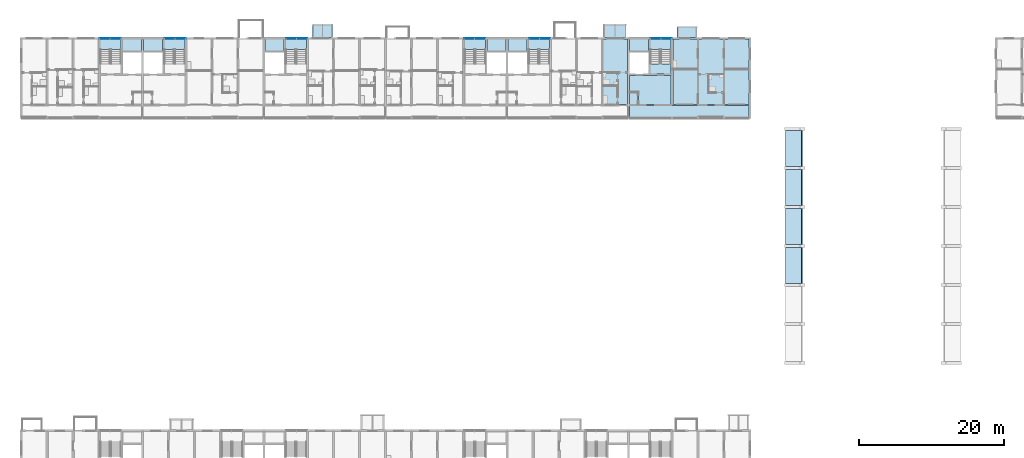
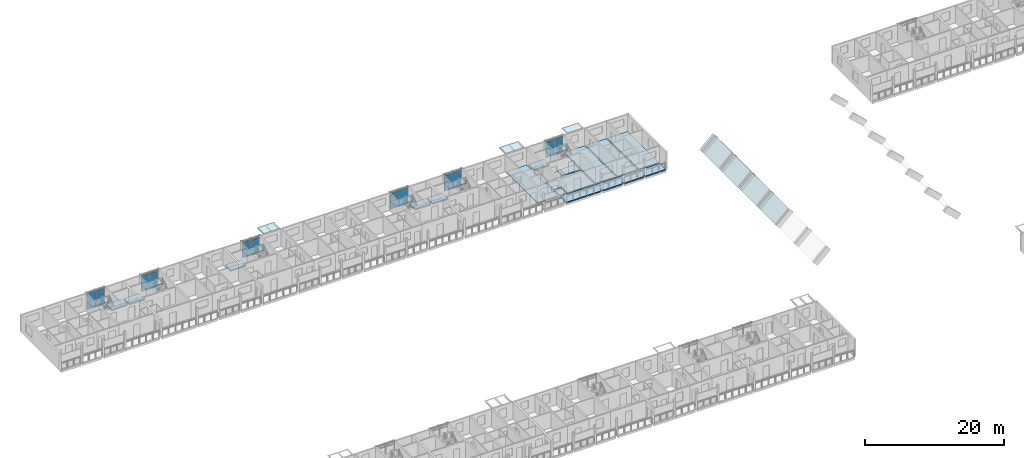
# One storey, part 26 of 98: 27 slabs, 24 plates, 12 elements without a shape of their own.
"""IFC4 building model written with IfcOpenShell, lengths in metres."""

from ifc_helpers import new_model, si_unit, direction, frame, origin, origin_2d, place, context, subcontext, project, spatial, polyline, rectangle, outline, extrude, material, layer, layer_set, type_object, element, aggregate, save


model = new_model("IFC4")

# Units and contexts
model_context = context("Model", 3, precision=1e-05, world=origin(), true_north=direction((0.0, 1.0)))
body_context = subcontext(model_context, "Body", "Model", "MODEL_VIEW")
ifc_project = project(units=[si_unit("LENGTHUNIT", "METRE"), si_unit("AREAUNIT", "SQUARE_METRE"), si_unit("VOLUMEUNIT", "CUBIC_METRE"), si_unit("PLANEANGLEUNIT", "RADIAN"), si_unit("MASSUNIT", "GRAM", prefix="KILO")], contexts=[model_context])

# Site, building, storey
site_placement = place(None, origin())
site = spatial("IfcSite", under=ifc_project, at=site_placement, CompositionType="ELEMENT")
building_placement = place(site_placement, origin())
building = spatial("IfcBuilding", under=site, at=building_placement, Name="Ridgestep Commons", CompositionType="ELEMENT")
storey_placement = place(building_placement, frame((0.0, 0.0, 12.0)))
storey = spatial("IfcBuildingStorey", under=building, at=storey_placement, Name="L04", CompositionType="ELEMENT", Elevation=12.0)

# Slab
ifc_material_1 = material(Name="Precast concrete C40/50", Category="concrete")
ifc_layer_1 = layer(ifc_material_1, 0.199951171875)
ifc_layer_set_1 = layer_set([ifc_layer_1], Name="Gallery slab 200")
slab_type_1 = type_object("IfcSlabType", Name="Gallery slab 200", PredefinedType="FLOOR", material=ifc_layer_set_1)
slab_1_placement = place(storey_placement, frame((0.0, 0.0, -0.199951171875)))
element("IfcSlab", 1, at=slab_1_placement, inside=storey, type_object=slab_type_1, Name="Gallery slab B6 L04", PredefinedType="FLOOR", context=body_context, shape_type="SweptSolid", body=[
    extrude(outline(polyline([(112.64990234375, 67.800048828125), (96.14990234375, 67.800048828125), (96.14990234375, 66.0), (101.875, 66.0), (101.875, 66.25), (102.125, 66.25), (102.125, 66.0), (105.47509765625, 66.0), (105.47509765625, 66.25), (105.72509765625, 66.25), (105.72509765625, 66.0), (109.074951171875, 66.0), (109.074951171875, 66.25), (109.324951171875, 66.25), (109.324951171875, 66.0), (112.64990234375, 66.0), (112.64990234375, 67.800048828125)])), origin(), (0.0, 0.0, 1.0), 0.199951171875),
])

# Curtain wall, plates
ifc_material_2 = material(Name="Aluminium 6063-T6 and glass", Category="aluminium")
curtain_wall_type = type_object("IfcCurtainWallType", Name="Curtain wall stair strip", PredefinedType="NOTDEFINED", material=ifc_material_2)
curtain_wall_1_placement = place(storey_placement, origin())
curtain_wall_1 = element("IfcCurtainWall", 2, at=curtain_wall_1_placement, inside=storey, type_object=curtain_wall_type, Name="Curtain wall B1C level 04", PredefinedType="NOTDEFINED")
ifc_material_3 = material(Name="Glass laminated 6/16/6 low-emissivity", Category="glass")
ifc_layer_2 = layer(ifc_material_3, 0.028076171875)
ifc_layer_set_2 = layer_set([ifc_layer_2], Name="Glazing panel 28")
plate_type_1 = type_object("IfcPlateType", Name="Glazing panel 28", PredefinedType="CURTAIN_PANEL", material=ifc_layer_set_2)
plate_1_placement = place(storey_placement, frame((23.5712890625, 77.080078125, 0.06005859375), z_axis=(0.0, 0.0, 1.0), x_axis=(1.0, 0.0, 0.0)))
plate_1 = element("IfcPlate", 3, at=plate_1_placement, type_object=plate_type_1, Name="CW1 panel 1.1", PredefinedType="CURTAIN_PANEL", context=body_context, shape_type="SweptSolid", body=[
    extrude(rectangle(XDim=1.422607421875, YDim=0.028076171875, at=origin_2d()), origin(), (0.0, 0.0, 1.0), 2.5),
])
plate_2_placement = place(storey_placement, frame((25.0537109375, 77.080078125, 0.06005859375), z_axis=(0.0, 0.0, 1.0), x_axis=(1.0, 0.0, 0.0)))
plate_2 = element("IfcPlate", 4, at=plate_2_placement, type_object=plate_type_1, Name="CW1 panel 2.1", PredefinedType="CURTAIN_PANEL", context=body_context, shape_type="SweptSolid", body=[
    extrude(rectangle(XDim=1.422607421875, YDim=0.028076171875, at=origin_2d()), origin(), (0.0, 0.0, 1.0), 2.5),
])

curtain_wall_2_placement = place(storey_placement, origin())
curtain_wall_2 = element("IfcCurtainWall", 5, at=curtain_wall_2_placement, inside=storey, type_object=curtain_wall_type, Name="Curtain wall B2C level 04", PredefinedType="NOTDEFINED")
plate_3_placement = place(storey_placement, frame((32.546142578125, 77.080078125, 0.06005859375), z_axis=(0.0, 0.0, 1.0), x_axis=(1.0, 0.0, 0.0)))
plate_3 = element("IfcPlate", 6, at=plate_3_placement, type_object=plate_type_1, Name="CW1 panel 1.1", PredefinedType="CURTAIN_PANEL", context=body_context, shape_type="SweptSolid", body=[
    extrude(rectangle(XDim=1.422607421875, YDim=0.028076171875, at=origin_2d()), origin(), (0.0, 0.0, 1.0), 2.5),
])
plate_4_placement = place(storey_placement, frame((34.02880859375, 77.080078125, 0.06005859375), z_axis=(0.0, 0.0, 1.0), x_axis=(1.0, 0.0, 0.0)))
plate_4 = element("IfcPlate", 7, at=plate_4_placement, type_object=plate_type_1, Name="CW1 panel 2.1", PredefinedType="CURTAIN_PANEL", context=body_context, shape_type="SweptSolid", body=[
    extrude(rectangle(XDim=1.422607421875, YDim=0.028076171875, at=origin_2d()), origin(), (0.0, 0.0, 1.0), 2.5),
])

curtain_wall_3_placement = place(storey_placement, origin())
curtain_wall_3 = element("IfcCurtainWall", 8, at=curtain_wall_3_placement, inside=storey, type_object=curtain_wall_type, Name="Curtain wall B3C level 04", PredefinedType="NOTDEFINED")
plate_5_placement = place(storey_placement, frame((49.34619140625, 77.080078125, 0.06005859375), z_axis=(0.0, 0.0, 1.0), x_axis=(1.0, 0.0, 0.0)))
plate_5 = element("IfcPlate", 9, at=plate_5_placement, type_object=plate_type_1, Name="CW1 panel 1.1", PredefinedType="CURTAIN_PANEL", context=body_context, shape_type="SweptSolid", body=[
    extrude(rectangle(XDim=1.422607421875, YDim=0.028076171875, at=origin_2d()), origin(), (0.0, 0.0, 1.0), 2.5),
])
plate_6_placement = place(storey_placement, frame((50.828857421875, 77.080078125, 0.06005859375), z_axis=(0.0, 0.0, 1.0), x_axis=(1.0, 0.0, 0.0)))
plate_6 = element("IfcPlate", 10, at=plate_6_placement, type_object=plate_type_1, Name="CW1 panel 2.1", PredefinedType="CURTAIN_PANEL", context=body_context, shape_type="SweptSolid", body=[
    extrude(rectangle(XDim=1.422607421875, YDim=0.028076171875, at=origin_2d()), origin(), (0.0, 0.0, 1.0), 2.5),
])

curtain_wall_4_placement = place(storey_placement, origin())
curtain_wall_4 = element("IfcCurtainWall", 11, at=curtain_wall_4_placement, inside=storey, type_object=curtain_wall_type, Name="Curtain wall B4C level 04", PredefinedType="NOTDEFINED")
plate_7_placement = place(storey_placement, frame((73.97119140625, 77.080078125, 0.06005859375), z_axis=(0.0, 0.0, 1.0), x_axis=(1.0, 0.0, 0.0)))
plate_7 = element("IfcPlate", 12, at=plate_7_placement, type_object=plate_type_1, Name="CW1 panel 1.1", PredefinedType="CURTAIN_PANEL", context=body_context, shape_type="SweptSolid", body=[
    extrude(rectangle(XDim=1.422607421875, YDim=0.028076171875, at=origin_2d()), origin(), (0.0, 0.0, 1.0), 2.5),
])
plate_8_placement = place(storey_placement, frame((75.453857421875, 77.080078125, 0.06005859375), z_axis=(0.0, 0.0, 1.0), x_axis=(1.0, 0.0, 0.0)))
plate_8 = element("IfcPlate", 13, at=plate_8_placement, type_object=plate_type_1, Name="CW1 panel 2.1", PredefinedType="CURTAIN_PANEL", context=body_context, shape_type="SweptSolid", body=[
    extrude(rectangle(XDim=1.422607421875, YDim=0.028076171875, at=origin_2d()), origin(), (0.0, 0.0, 1.0), 2.5),
])

curtain_wall_5_placement = place(storey_placement, origin())
curtain_wall_5 = element("IfcCurtainWall", 14, at=curtain_wall_5_placement, inside=storey, type_object=curtain_wall_type, Name="Curtain wall B5C level 04", PredefinedType="NOTDEFINED")
plate_9_placement = place(storey_placement, frame((82.9462890625, 77.080078125, 0.06005859375), z_axis=(0.0, 0.0, 1.0), x_axis=(1.0, 0.0, 0.0)))
plate_9 = element("IfcPlate", 15, at=plate_9_placement, type_object=plate_type_1, Name="CW1 panel 1.1", PredefinedType="CURTAIN_PANEL", context=body_context, shape_type="SweptSolid", body=[
    extrude(rectangle(XDim=1.422607421875, YDim=0.028076171875, at=origin_2d()), origin(), (0.0, 0.0, 1.0), 2.5),
])
plate_10_placement = place(storey_placement, frame((84.4287109375, 77.080078125, 0.06005859375), z_axis=(0.0, 0.0, 1.0), x_axis=(1.0, 0.0, 0.0)))
plate_10 = element("IfcPlate", 16, at=plate_10_placement, type_object=plate_type_1, Name="CW1 panel 2.1", PredefinedType="CURTAIN_PANEL", context=body_context, shape_type="SweptSolid", body=[
    extrude(rectangle(XDim=1.422607421875, YDim=0.028076171875, at=origin_2d()), origin(), (0.0, 0.0, 1.0), 2.5),
])

curtain_wall_6_placement = place(storey_placement, origin())
curtain_wall_6 = element("IfcCurtainWall", 17, at=curtain_wall_6_placement, inside=storey, type_object=curtain_wall_type, Name="Curtain wall B6C level 04", PredefinedType="NOTDEFINED")
plate_11_placement = place(storey_placement, frame((99.746337890625, 77.080078125, 0.06005859375), z_axis=(0.0, 0.0, 1.0), x_axis=(1.0, 0.0, 0.0)))
plate_11 = element("IfcPlate", 18, at=plate_11_placement, type_object=plate_type_1, Name="CW1 panel 1.1", PredefinedType="CURTAIN_PANEL", context=body_context, shape_type="SweptSolid", body=[
    extrude(rectangle(XDim=1.422607421875, YDim=0.028076171875, at=origin_2d()), origin(), (0.0, 0.0, 1.0), 2.5),
])
plate_12_placement = place(storey_placement, frame((101.228759765625, 77.080078125, 0.06005859375), z_axis=(0.0, 0.0, 1.0), x_axis=(1.0, 0.0, 0.0)))
plate_12 = element("IfcPlate", 19, at=plate_12_placement, type_object=plate_type_1, Name="CW1 panel 2.1", PredefinedType="CURTAIN_PANEL", context=body_context, shape_type="SweptSolid", body=[
    extrude(rectangle(XDim=1.422607421875, YDim=0.028076171875, at=origin_2d()), origin(), (0.0, 0.0, 1.0), 2.5),
])

# Slabs
ifc_material_4 = material(Name="Precast concrete C50/60", Category="concrete")
ifc_layer_3 = layer(ifc_material_4, 0.199951171875)
ifc_layer_set_3 = layer_set([ifc_layer_3], Name="Hall roof plank 200")
slab_type_2 = type_object("IfcSlabType", Name="Hall roof plank 200", PredefinedType="ROOF", material=ifc_layer_set_3)
for number, where, z_axis, x_axis, name in (
    (20, (117.70068359375, 43.199951171875, 2.32861328125), (-0.680984042462, 0.0, 0.732298254751), (0.732298254751, 0.0, 0.680984042462), "Hall barrel vault panel 27"),
    (21, (117.70068359375, 48.60009765625, 2.32861328125), (-0.680984042462, 0.0, 0.732298254751), (0.732298254751, 0.0, 0.680984042462), "Hall barrel vault panel 39"),
    (22, (117.70068359375, 54.0, 2.32861328125), (-0.680984042462, 0.0, 0.732298254751), (0.732298254751, 0.0, 0.680984042462), "Hall barrel vault panel 51"),
    (23, (117.70068359375, 59.39990234375, 2.32861328125), (-0.680984042462, 0.0, 0.732298254751), (0.732298254751, 0.0, 0.680984042462), "Hall barrel vault panel 63"),
):
    element("IfcSlab", number, at=place(storey_placement, frame(where, z_axis=z_axis, x_axis=x_axis)), inside=storey, type_object=slab_type_2, Name=name, PredefinedType="ROOF", context=body_context, shape_type="SweptSolid", body=[
        extrude(outline(polyline([(0.0, 0.0), (3.021176589449583, 0.0), (3.021176589449583, 5.0), (0.0, 5.0), (0.0, 0.0)])), origin(), (0.0, 0.0, -1.0), 0.199951171875),
    ])
ifc_material_5 = material(Name="Precast concrete C50/60", Category="concrete")
ifc_layer_4 = layer(ifc_material_5, 0.199951171875)
ifc_layer_set_4 = layer_set([ifc_layer_4], Name="Hollow-core plank 200")
slab_type_3 = type_object("IfcSlabType", Name="Hollow-core plank 200", PredefinedType="FLOOR", material=ifc_layer_set_4)
slab_2_placement = place(storey_placement, frame((0.0, 0.0, -0.199951171875)))
element("IfcSlab", 24, at=slab_2_placement, inside=storey, type_object=slab_type_3, Name="Floor plank B5T1 L04", PredefinedType="FLOOR", context=body_context, shape_type="SweptSolid", body=[
    extrude(outline(polyline([(95.85009765625, 68.0), (95.85009765625, 77.0), (92.5, 77.0), (92.5, 68.0), (95.85009765625, 68.0)])), origin(), (0.0, 0.0, 1.0), 0.199951171875),
])
slab_3_placement = place(storey_placement, frame((0.0, 0.0, -0.199951171875)))
element("IfcSlab", 25, at=slab_3_placement, inside=storey, type_object=slab_type_3, Name="Floor plank B6T3 L04", PredefinedType="FLOOR", context=body_context, shape_type="SweptSolid", body=[
    extrude(outline(polyline([(105.5, 68.0), (105.5, 77.0), (102.125, 77.0), (102.125, 68.0), (105.5, 68.0)])), origin(), (0.0, 0.0, 1.0), 0.199951171875),
])
slab_4_placement = place(storey_placement, frame((0.0, 0.0, -0.199951171875)))
element("IfcSlab", 26, at=slab_4_placement, inside=storey, type_object=slab_type_3, Name="Floor plank B6T2 L04", PredefinedType="FLOOR", context=body_context, shape_type="SweptSolid", body=[
    extrude(outline(polyline([(109.10009765625, 68.0), (109.10009765625, 77.0), (105.699951171875, 77.0), (105.699951171875, 68.0), (109.10009765625, 68.0)])), origin(), (0.0, 0.0, 1.0), 0.199951171875),
])
slab_5_placement = place(storey_placement, frame((0.0, 0.0, -0.199951171875)))
element("IfcSlab", 27, at=slab_5_placement, inside=storey, type_object=slab_type_3, Name="Floor plank B6T1 L04", PredefinedType="FLOOR", context=body_context, shape_type="SweptSolid", body=[
    extrude(outline(polyline([(112.64990234375, 68.0), (112.64990234375, 77.0), (109.300048828125, 77.0), (109.300048828125, 68.0), (112.64990234375, 68.0)])), origin(), (0.0, 0.0, 1.0), 0.199951171875),
])
ifc_material_6 = material(Name="Precast concrete C50/60", Category="concrete")
ifc_layer_5 = layer(ifc_material_6, 0.25)
ifc_layer_set_5 = layer_set([ifc_layer_5], Name="Hollow-core plank 250")
slab_type_4 = type_object("IfcSlabType", Name="Hollow-core plank 250", PredefinedType="FLOOR", material=ifc_layer_set_5)
slab_6_placement = place(storey_placement, frame((0.0, 0.0, -0.25)))
element("IfcSlab", 28, at=slab_6_placement, inside=storey, type_object=slab_type_4, Name="Floor plank B1C L04", PredefinedType="FLOOR", context=body_context, shape_type="SweptSolid", body=[
    extrude(outline(polyline([(28.64990234375, 75.39990234375), (28.64990234375, 77.0), (26.02490234375, 77.0), (26.02490234375, 75.39990234375), (28.64990234375, 75.39990234375)])), origin(), (0.0, 0.0, 1.0), 0.25),
])
slab_7_placement = place(storey_placement, frame((0.0, 0.0, -0.25)))
element("IfcSlab", 29, at=slab_7_placement, inside=storey, type_object=slab_type_4, Name="Floor plank B2C L04", PredefinedType="FLOOR", context=body_context, shape_type="SweptSolid", body=[
    extrude(outline(polyline([(31.574951171875, 77.0), (28.949951171875, 77.0), (28.949951171875, 75.39990234375), (31.574951171875, 75.39990234375), (31.574951171875, 77.0)])), origin(), (0.0, 0.0, 1.0), 0.25),
])
slab_8_placement = place(storey_placement, frame((0.0, 0.0, -0.25)))
element("IfcSlab", 30, at=slab_8_placement, inside=storey, type_object=slab_type_4, Name="Floor plank B3C L04", PredefinedType="FLOOR", context=body_context, shape_type="SweptSolid", body=[
    extrude(outline(polyline([(48.375, 77.0), (45.75, 77.0), (45.75, 75.39990234375), (48.375, 75.39990234375), (48.375, 77.0)])), origin(), (0.0, 0.0, 1.0), 0.25),
])
slab_9_placement = place(storey_placement, frame((0.0, 0.0, -0.25)))
element("IfcSlab", 31, at=slab_9_placement, inside=storey, type_object=slab_type_4, Name="Floor plank B4C L04", PredefinedType="FLOOR", context=body_context, shape_type="SweptSolid", body=[
    extrude(outline(polyline([(79.050048828125, 75.39990234375), (79.050048828125, 77.0), (76.425048828125, 77.0), (76.425048828125, 75.39990234375), (79.050048828125, 75.39990234375)])), origin(), (0.0, 0.0, 1.0), 0.25),
])
slab_10_placement = place(storey_placement, frame((0.0, 0.0, -0.25)))
element("IfcSlab", 32, at=slab_10_placement, inside=storey, type_object=slab_type_4, Name="Floor plank B5C L04", PredefinedType="FLOOR", context=body_context, shape_type="SweptSolid", body=[
    extrude(outline(polyline([(81.97509765625, 77.0), (79.35009765625, 77.0), (79.35009765625, 75.39990234375), (81.97509765625, 75.39990234375), (81.97509765625, 77.0)])), origin(), (0.0, 0.0, 1.0), 0.25),
])
slab_11_placement = place(storey_placement, frame((0.0, 0.0, -0.25)))
element("IfcSlab", 33, at=slab_11_placement, inside=storey, type_object=slab_type_4, Name="Floor plank B6C L04", PredefinedType="FLOOR", context=body_context, shape_type="SweptSolid", body=[
    extrude(outline(polyline([(97.39990234375, 68.0), (101.875, 68.0), (101.875, 72.0), (96.14990234375, 72.0), (96.14990234375, 69.719970703125), (97.280029296875, 69.719970703125), (97.39990234375, 69.719970703125), (97.39990234375, 68.0)])), origin(), (0.0, 0.0, 1.0), 0.25),
])
slab_12_placement = place(storey_placement, frame((0.0, 0.0, -0.25)))
element("IfcSlab", 34, at=slab_12_placement, inside=storey, type_object=slab_type_4, Name="Floor plank B6C L04", PredefinedType="FLOOR", context=body_context, shape_type="SweptSolid", body=[
    extrude(outline(polyline([(98.77490234375, 77.0), (96.14990234375, 77.0), (96.14990234375, 75.39990234375), (98.77490234375, 75.39990234375), (98.77490234375, 77.0)])), origin(), (0.0, 0.0, 1.0), 0.25),
])
slab_13_placement = place(storey_placement, frame((0.0, 0.0, -0.25)))
element("IfcSlab", 35, at=slab_13_placement, inside=storey, type_object=slab_type_4, Name="Floor plank B6C L04", PredefinedType="FLOOR", context=body_context, shape_type="SweptSolid", body=[
    extrude(outline(polyline([(101.875, 72.199951171875), (101.875, 73.60009765625), (98.97509765625, 73.60009765625), (98.97509765625, 72.199951171875), (101.875, 72.199951171875)])), origin(), (0.0, 0.0, 1.0), 0.25),
])
slab_14_placement = place(storey_placement, frame((0.0, 0.0, -0.25)))
element("IfcSlab", 36, at=slab_14_placement, inside=storey, type_object=slab_type_4, Name="Floor plank B6C L04", PredefinedType="FLOOR", context=body_context, shape_type="SweptSolid", body=[
    extrude(outline(polyline([(97.280029296875, 69.60009765625), (96.14990234375, 69.60009765625), (96.14990234375, 68.0), (97.280029296875, 68.0), (97.280029296875, 69.60009765625)])), origin(), (0.0, 0.0, 1.0), 0.25),
])

# Plate
ifc_material_7 = material(Name="Aluminium 6063-T6 and mineral wool", Category="aluminium")
ifc_layer_6 = layer(ifc_material_7, 0.0400390625)
ifc_layer_set_6 = layer_set([ifc_layer_6], Name="Spandrel panel 40")
plate_type_2 = type_object("IfcPlateType", Name="Spandrel panel 40", PredefinedType="CURTAIN_PANEL", material=ifc_layer_set_6)
plate_13_placement = place(storey_placement, frame((23.5712890625, 77.080078125, 2.6201171875), z_axis=(0.0, 0.0, 1.0), x_axis=(1.0, 0.0, 0.0)))
plate_13 = element("IfcPlate", 37, at=plate_13_placement, type_object=plate_type_2, Name="CW1 panel 1.2", PredefinedType="CURTAIN_PANEL", context=body_context, shape_type="SweptSolid", body=[
    extrude(rectangle(XDim=1.422607421875, YDim=0.0400390625, at=origin_2d()), origin(), (0.0, 0.0, 1.0), 0.320068359375),
])

plate_14_placement = place(storey_placement, frame((25.0537109375, 77.080078125, 2.6201171875), z_axis=(0.0, 0.0, 1.0), x_axis=(1.0, 0.0, 0.0)))
plate_14 = element("IfcPlate", 38, at=plate_14_placement, type_object=plate_type_2, Name="CW1 panel 2.2", PredefinedType="CURTAIN_PANEL", context=body_context, shape_type="SweptSolid", body=[
    extrude(rectangle(XDim=1.422607421875, YDim=0.0400390625, at=origin_2d()), origin(), (0.0, 0.0, 1.0), 0.320068359375),
])

aggregate(curtain_wall_1, [plate_1, plate_13, plate_2, plate_14])

plate_15_placement = place(storey_placement, frame((32.546142578125, 77.080078125, 2.6201171875), z_axis=(0.0, 0.0, 1.0), x_axis=(1.0, 0.0, 0.0)))
plate_15 = element("IfcPlate", 39, at=plate_15_placement, type_object=plate_type_2, Name="CW1 panel 1.2", PredefinedType="CURTAIN_PANEL", context=body_context, shape_type="SweptSolid", body=[
    extrude(rectangle(XDim=1.422607421875, YDim=0.0400390625, at=origin_2d()), origin(), (0.0, 0.0, 1.0), 0.320068359375),
])

plate_16_placement = place(storey_placement, frame((34.02880859375, 77.080078125, 2.6201171875), z_axis=(0.0, 0.0, 1.0), x_axis=(1.0, 0.0, 0.0)))
plate_16 = element("IfcPlate", 40, at=plate_16_placement, type_object=plate_type_2, Name="CW1 panel 2.2", PredefinedType="CURTAIN_PANEL", context=body_context, shape_type="SweptSolid", body=[
    extrude(rectangle(XDim=1.422607421875, YDim=0.0400390625, at=origin_2d()), origin(), (0.0, 0.0, 1.0), 0.320068359375),
])

aggregate(curtain_wall_2, [plate_3, plate_15, plate_4, plate_16])

plate_17_placement = place(storey_placement, frame((49.34619140625, 77.080078125, 2.6201171875), z_axis=(0.0, 0.0, 1.0), x_axis=(1.0, 0.0, 0.0)))
plate_17 = element("IfcPlate", 41, at=plate_17_placement, type_object=plate_type_2, Name="CW1 panel 1.2", PredefinedType="CURTAIN_PANEL", context=body_context, shape_type="SweptSolid", body=[
    extrude(rectangle(XDim=1.422607421875, YDim=0.0400390625, at=origin_2d()), origin(), (0.0, 0.0, 1.0), 0.320068359375),
])

plate_18_placement = place(storey_placement, frame((50.828857421875, 77.080078125, 2.6201171875), z_axis=(0.0, 0.0, 1.0), x_axis=(1.0, 0.0, 0.0)))
plate_18 = element("IfcPlate", 42, at=plate_18_placement, type_object=plate_type_2, Name="CW1 panel 2.2", PredefinedType="CURTAIN_PANEL", context=body_context, shape_type="SweptSolid", body=[
    extrude(rectangle(XDim=1.422607421875, YDim=0.0400390625, at=origin_2d()), origin(), (0.0, 0.0, 1.0), 0.320068359375),
])

aggregate(curtain_wall_3, [plate_5, plate_17, plate_6, plate_18])

plate_19_placement = place(storey_placement, frame((73.97119140625, 77.080078125, 2.6201171875), z_axis=(0.0, 0.0, 1.0), x_axis=(1.0, 0.0, 0.0)))
plate_19 = element("IfcPlate", 43, at=plate_19_placement, type_object=plate_type_2, Name="CW1 panel 1.2", PredefinedType="CURTAIN_PANEL", context=body_context, shape_type="SweptSolid", body=[
    extrude(rectangle(XDim=1.422607421875, YDim=0.0400390625, at=origin_2d()), origin(), (0.0, 0.0, 1.0), 0.320068359375),
])

plate_20_placement = place(storey_placement, frame((75.453857421875, 77.080078125, 2.6201171875), z_axis=(0.0, 0.0, 1.0), x_axis=(1.0, 0.0, 0.0)))
plate_20 = element("IfcPlate", 44, at=plate_20_placement, type_object=plate_type_2, Name="CW1 panel 2.2", PredefinedType="CURTAIN_PANEL", context=body_context, shape_type="SweptSolid", body=[
    extrude(rectangle(XDim=1.422607421875, YDim=0.0400390625, at=origin_2d()), origin(), (0.0, 0.0, 1.0), 0.320068359375),
])

aggregate(curtain_wall_4, [plate_7, plate_19, plate_8, plate_20])

plate_21_placement = place(storey_placement, frame((82.9462890625, 77.080078125, 2.6201171875), z_axis=(0.0, 0.0, 1.0), x_axis=(1.0, 0.0, 0.0)))
plate_21 = element("IfcPlate", 45, at=plate_21_placement, type_object=plate_type_2, Name="CW1 panel 1.2", PredefinedType="CURTAIN_PANEL", context=body_context, shape_type="SweptSolid", body=[
    extrude(rectangle(XDim=1.422607421875, YDim=0.0400390625, at=origin_2d()), origin(), (0.0, 0.0, 1.0), 0.320068359375),
])

plate_22_placement = place(storey_placement, frame((84.4287109375, 77.080078125, 2.6201171875), z_axis=(0.0, 0.0, 1.0), x_axis=(1.0, 0.0, 0.0)))
plate_22 = element("IfcPlate", 46, at=plate_22_placement, type_object=plate_type_2, Name="CW1 panel 2.2", PredefinedType="CURTAIN_PANEL", context=body_context, shape_type="SweptSolid", body=[
    extrude(rectangle(XDim=1.422607421875, YDim=0.0400390625, at=origin_2d()), origin(), (0.0, 0.0, 1.0), 0.320068359375),
])

aggregate(curtain_wall_5, [plate_9, plate_21, plate_10, plate_22])

plate_23_placement = place(storey_placement, frame((99.746337890625, 77.080078125, 2.6201171875), z_axis=(0.0, 0.0, 1.0), x_axis=(1.0, 0.0, 0.0)))
plate_23 = element("IfcPlate", 47, at=plate_23_placement, type_object=plate_type_2, Name="CW1 panel 1.2", PredefinedType="CURTAIN_PANEL", context=body_context, shape_type="SweptSolid", body=[
    extrude(rectangle(XDim=1.422607421875, YDim=0.0400390625, at=origin_2d()), origin(), (0.0, 0.0, 1.0), 0.320068359375),
])

plate_24_placement = place(storey_placement, frame((101.228759765625, 77.080078125, 2.6201171875), z_axis=(0.0, 0.0, 1.0), x_axis=(1.0, 0.0, 0.0)))
plate_24 = element("IfcPlate", 48, at=plate_24_placement, type_object=plate_type_2, Name="CW1 panel 2.2", PredefinedType="CURTAIN_PANEL", context=body_context, shape_type="SweptSolid", body=[
    extrude(rectangle(XDim=1.422607421875, YDim=0.0400390625, at=origin_2d()), origin(), (0.0, 0.0, 1.0), 0.320068359375),
])

aggregate(curtain_wall_6, [plate_11, plate_23, plate_12, plate_24])

# Stair, slab
ifc_material_8 = material(Name="Precast concrete C40/50", Category="concrete")
stair_type = type_object("IfcStairType", Name="Escape stair 1400", PredefinedType="HALF_TURN_STAIR", material=ifc_material_8)
stair_1_placement = place(storey_placement, origin())
stair_1 = element("IfcStair", 49, at=stair_1_placement, inside=storey, type_object=stair_type, Name="L04 Escape stair B1C", PredefinedType="HALF_TURN_STAIR")
ifc_material_9 = material(Name="Precast concrete C40/50", Category="concrete")
ifc_layer_7 = layer(ifc_material_9, 0.199951171875)
ifc_layer_set_7 = layer_set([ifc_layer_7], Name="Stair landing 200")
slab_type_5 = type_object("IfcSlabType", Name="Stair landing 200", PredefinedType="LANDING", material=ifc_layer_set_7)
slab_15_placement = place(storey_placement, frame((0.0, 0.0, 1.300048828125)))
slab_15 = element("IfcSlab", 50, at=slab_15_placement, type_object=slab_type_5, Name="B1C landing 1", PredefinedType="LANDING", context=body_context, shape_type="SweptSolid", body=[
    extrude(outline(polyline([(25.824951171875, 75.56005859375), (25.824951171875, 77.0), (22.925048828125, 77.0), (22.925048828125, 75.56005859375), (25.824951171875, 75.56005859375)])), origin(), (0.0, 0.0, 1.0), 0.199951171875),
])
aggregate(stair_1, [slab_15])

stair_2_placement = place(storey_placement, origin())
stair_2 = element("IfcStair", 51, at=stair_2_placement, inside=storey, type_object=stair_type, Name="L04 Escape stair B2C", PredefinedType="HALF_TURN_STAIR")
slab_16_placement = place(storey_placement, frame((0.0, 0.0, 1.300048828125)))
slab_16 = element("IfcSlab", 52, at=slab_16_placement, type_object=slab_type_5, Name="B2C landing 1", PredefinedType="LANDING", context=body_context, shape_type="SweptSolid", body=[
    extrude(outline(polyline([(34.675048828125, 75.56005859375), (34.675048828125, 77.0), (31.77490234375, 77.0), (31.77490234375, 75.56005859375), (34.675048828125, 75.56005859375)])), origin(), (0.0, 0.0, 1.0), 0.199951171875),
])
aggregate(stair_2, [slab_16])

stair_3_placement = place(storey_placement, origin())
stair_3 = element("IfcStair", 53, at=stair_3_placement, inside=storey, type_object=stair_type, Name="L04 Escape stair B3C", PredefinedType="HALF_TURN_STAIR")
slab_17_placement = place(storey_placement, frame((0.0, 0.0, 1.300048828125)))
slab_17 = element("IfcSlab", 54, at=slab_17_placement, type_object=slab_type_5, Name="B3C landing 1", PredefinedType="LANDING", context=body_context, shape_type="SweptSolid", body=[
    extrude(outline(polyline([(51.47509765625, 75.56005859375), (51.47509765625, 77.0), (48.574951171875, 77.0), (48.574951171875, 75.56005859375), (51.47509765625, 75.56005859375)])), origin(), (0.0, 0.0, 1.0), 0.199951171875),
])
aggregate(stair_3, [slab_17])

stair_4_placement = place(storey_placement, origin())
stair_4 = element("IfcStair", 55, at=stair_4_placement, inside=storey, type_object=stair_type, Name="L04 Escape stair B4C", PredefinedType="HALF_TURN_STAIR")
slab_18_placement = place(storey_placement, frame((0.0, 0.0, 1.300048828125)))
slab_18 = element("IfcSlab", 56, at=slab_18_placement, type_object=slab_type_5, Name="B4C landing 1", PredefinedType="LANDING", context=body_context, shape_type="SweptSolid", body=[
    extrude(outline(polyline([(76.22509765625, 75.56005859375), (76.22509765625, 77.0), (73.324951171875, 77.0), (73.324951171875, 75.56005859375), (76.22509765625, 75.56005859375)])), origin(), (0.0, 0.0, 1.0), 0.199951171875),
])
aggregate(stair_4, [slab_18])

stair_5_placement = place(storey_placement, origin())
stair_5 = element("IfcStair", 57, at=stair_5_placement, inside=storey, type_object=stair_type, Name="L04 Escape stair B5C", PredefinedType="HALF_TURN_STAIR")
slab_19_placement = place(storey_placement, frame((0.0, 0.0, 1.300048828125)))
slab_19 = element("IfcSlab", 58, at=slab_19_placement, type_object=slab_type_5, Name="B5C landing 1", PredefinedType="LANDING", context=body_context, shape_type="SweptSolid", body=[
    extrude(outline(polyline([(85.074951171875, 75.56005859375), (85.074951171875, 77.0), (82.175048828125, 77.0), (82.175048828125, 75.56005859375), (85.074951171875, 75.56005859375)])), origin(), (0.0, 0.0, 1.0), 0.199951171875),
])
aggregate(stair_5, [slab_19])

stair_6_placement = place(storey_placement, origin())
stair_6 = element("IfcStair", 59, at=stair_6_placement, inside=storey, type_object=stair_type, Name="L04 Escape stair B6C", PredefinedType="HALF_TURN_STAIR")
slab_20_placement = place(storey_placement, frame((0.0, 0.0, 1.300048828125)))
slab_20 = element("IfcSlab", 60, at=slab_20_placement, type_object=slab_type_5, Name="B6C landing 1", PredefinedType="LANDING", context=body_context, shape_type="SweptSolid", body=[
    extrude(outline(polyline([(101.875, 75.56005859375), (101.875, 77.0), (98.97509765625, 77.0), (98.97509765625, 75.56005859375), (101.875, 75.56005859375)])), origin(), (0.0, 0.0, 1.0), 0.199951171875),
])
aggregate(stair_6, [slab_20])

# Slabs
ifc_material_10 = material(Name="Weathering steel S355J2W", Category="steel")
ifc_layer_8 = layer(ifc_material_10, 0.010009765625)
ifc_layer_set_8 = layer_set([ifc_layer_8], Name="Tray 2.8 x 1.5")
slab_type_6 = type_object("IfcSlabType", Name="Tray 2.8 x 1.5", PredefinedType="FLOOR", material=ifc_layer_set_8)
slab_21_placement = place(storey_placement, frame((0.0, 0.0, 2.989990234375)))
element("IfcSlab", 61, at=slab_21_placement, inside=storey, type_object=slab_type_6, Name="Tray deck B6T3-05", PredefinedType="FLOOR", context=body_context, shape_type="SweptSolid", body=[
    extrude(outline(polyline([(102.72998046875, 77.25), (105.469970703125, 77.25), (105.469970703125, 78.75), (102.72998046875, 78.75), (102.72998046875, 77.25)])), origin(), (0.0, 0.0, 1.0), 0.010009765625),
])
ifc_material_11 = material(Name="Weathering steel S355J2W", Category="steel")
ifc_layer_9 = layer(ifc_material_11, 0.010009765625)
ifc_layer_set_9 = layer_set([ifc_layer_9], Name="Tray 2.8 x 1.8")
slab_type_7 = type_object("IfcSlabType", Name="Tray 2.8 x 1.8", PredefinedType="FLOOR", material=ifc_layer_set_9)
slab_22_placement = place(storey_placement, frame((0.0, 0.0, 2.989990234375)))
element("IfcSlab", 62, at=slab_22_placement, inside=storey, type_object=slab_type_7, Name="Tray deck B3T3-05", PredefinedType="FLOOR", context=body_context, shape_type="SweptSolid", body=[
    extrude(outline(polyline([(52.330078125, 77.25), (55.070068359375, 77.25), (55.070068359375, 79.050048828125), (52.330078125, 79.050048828125), (52.330078125, 77.25)])), origin(), (0.0, 0.0, 1.0), 0.010009765625),
])
ifc_material_12 = material(Name="Weathering steel S355J2W", Category="steel")
ifc_layer_10 = layer(ifc_material_12, 0.010009765625)
ifc_layer_set_10 = layer_set([ifc_layer_10], Name="Tray 3.2 x 1.8")
slab_type_8 = type_object("IfcSlabType", Name="Tray 3.2 x 1.8", PredefinedType="FLOOR", material=ifc_layer_set_10)
slab_23_placement = place(storey_placement, frame((0.0, 0.0, 2.989990234375)))
element("IfcSlab", 63, at=slab_23_placement, inside=storey, type_object=slab_type_8, Name="Tray deck B5T1-05", PredefinedType="FLOOR", context=body_context, shape_type="SweptSolid", body=[
    extrude(outline(polyline([(92.530029296875, 77.25), (95.669921875, 77.25), (95.669921875, 79.050048828125), (92.530029296875, 79.050048828125), (92.530029296875, 77.25)])), origin(), (0.0, 0.0, 1.0), 0.010009765625),
])

save(model, "model.ifc")
